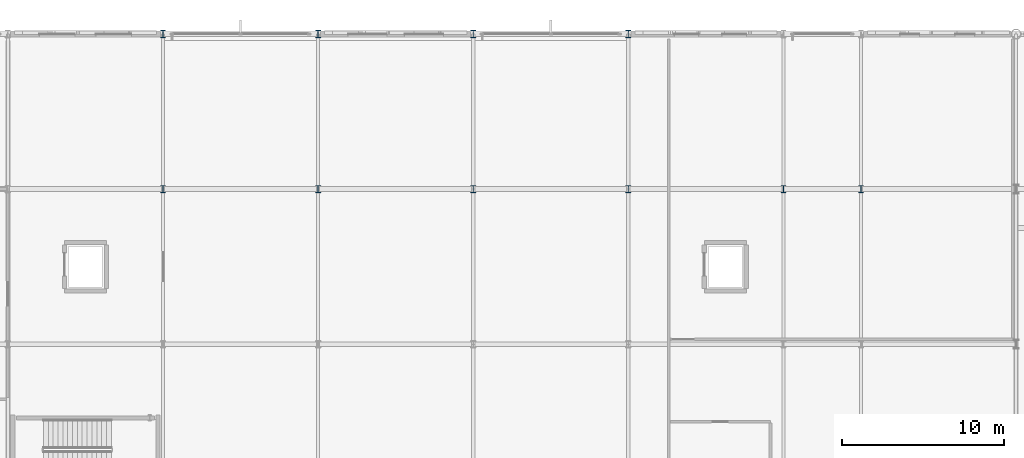
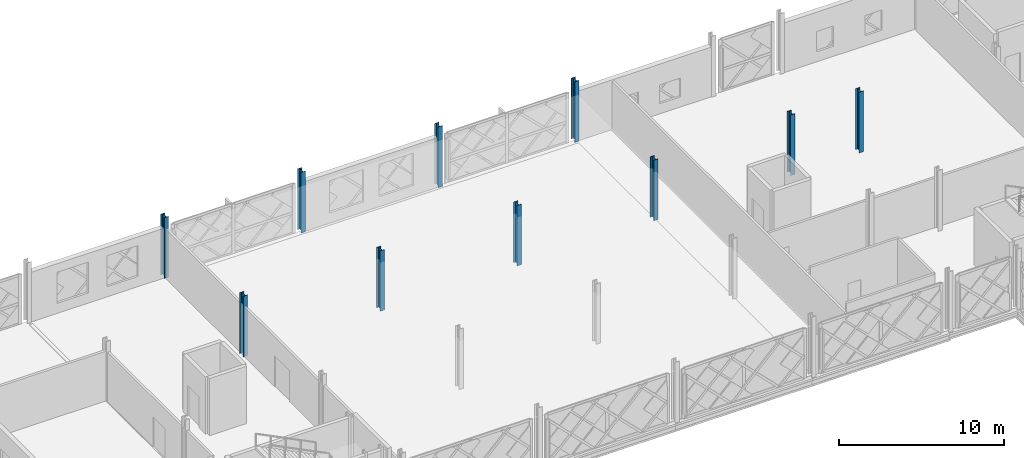
# One storey, part 15 of 101: 10 columns.
"""IFC4 building model written with IfcOpenShell, lengths in metres."""

from ifc_helpers import new_model, si_unit, direction, frame, origin, origin_2d, place, context, subcontext, project, spatial, i_section, extrude, material, material_profile, profile_set, type_object, element, save


model = new_model("IFC4")

# Units and contexts
model_context = context("Model", 3, precision=1e-05, world=origin(), true_north=direction((0.0, 1.0)))
body_context = subcontext(model_context, "Body", "Model", "MODEL_VIEW")
ifc_project = project(units=[si_unit("LENGTHUNIT", "METRE"), si_unit("AREAUNIT", "SQUARE_METRE"), si_unit("VOLUMEUNIT", "CUBIC_METRE"), si_unit("PLANEANGLEUNIT", "RADIAN"), si_unit("MASSUNIT", "GRAM", prefix="KILO")], contexts=[model_context])

# Site, building, storey
site_placement = place(None, origin())
site = spatial("IfcSite", under=ifc_project, at=site_placement, CompositionType="ELEMENT")
building_placement = place(site_placement, origin())
building = spatial("IfcBuilding", under=site, at=building_placement, Name="Zevrakil Square Congress Hotel", CompositionType="ELEMENT")
storey_placement = place(building_placement, frame((0.0, 0.0, 5.39990234375)))
storey = spatial("IfcBuildingStorey", under=building, at=storey_placement, Name="L02", CompositionType="ELEMENT", Elevation=5.39990234375)

# Columns
ifc_material = material(Name="Steel S355", Category="steel")
ifc_material_profile = material_profile(ifc_material, i_section(OverallWidth=0.300048828125, OverallDepth=0.449951171875, WebThickness=0.013916015625, FlangeThickness=0.02587890625, FilletRadius=0.027099609375, at=origin_2d()), Name="HEB 450")
ifc_profile_set = profile_set([ifc_material_profile], Name="Steel S355")
column_type = type_object("IfcColumnType", Name="COL-HEB450", PredefinedType="COLUMN", material=ifc_profile_set)
for number, where, z_axis, x_axis, name in (
    (1, (64.800048828125, 103.199951171875, 0.0), (0.0, 0.0, 1.0), (1.0, 0.0, 0.0), "L02 column C-110"),
    (2, (64.800048828125, 112.800048828125, 0.0), (0.0, 0.0, 1.0), (1.0, 0.0, 0.0), "L02 column C-111"),
    (3, (74.39990234375, 103.199951171875, 0.0), (0.0, 0.0, 1.0), (1.0, 0.0, 0.0), "L02 column C-122"),
    (4, (74.39990234375, 112.800048828125, 0.0), (0.0, 0.0, 1.0), (1.0, 0.0, 0.0), "L02 column C-123"),
    (5, (84.0, 103.199951171875, 0.0), (0.0, 0.0, 1.0), (1.0, 0.0, 0.0), "L02 column C-134"),
    (6, (84.0, 112.800048828125, 0.0), (0.0, 0.0, 1.0), (1.0, 0.0, 0.0), "L02 column C-135"),
    (7, (93.60009765625, 103.199951171875, 0.0), (0.0, 0.0, 1.0), (1.0, 0.0, 0.0), "L02 column C-146"),
    (8, (93.60009765625, 112.800048828125, 0.0), (0.0, 0.0, 1.0), (1.0, 0.0, 0.0), "L02 column C-147"),
    (9, (103.199951171875, 103.199951171875, 0.0), (0.0, 0.0, 1.0), (1.0, 0.0, 0.0), "L02 column C-160"),
    (10, (108.0, 103.199951171875, 0.0), (0.0, 0.0, 1.0), (1.0, 0.0, 0.0), "L02 column C-174"),
):
    element("IfcColumn", number, at=place(storey_placement, frame(where, z_axis=z_axis, x_axis=x_axis)), inside=storey, type_object=column_type, Name=name, PredefinedType="COLUMN", context=body_context, shape_type="SweptSolid", body=[
        extrude(i_section(OverallWidth=0.300048828125, OverallDepth=0.449951171875, WebThickness=0.013916015625, FlangeThickness=0.02587890625, FilletRadius=0.027099609375, at=origin_2d()), origin(), (0.0, 0.0, 1.0), 4.5),
    ])

save(model, "model.ifc")
